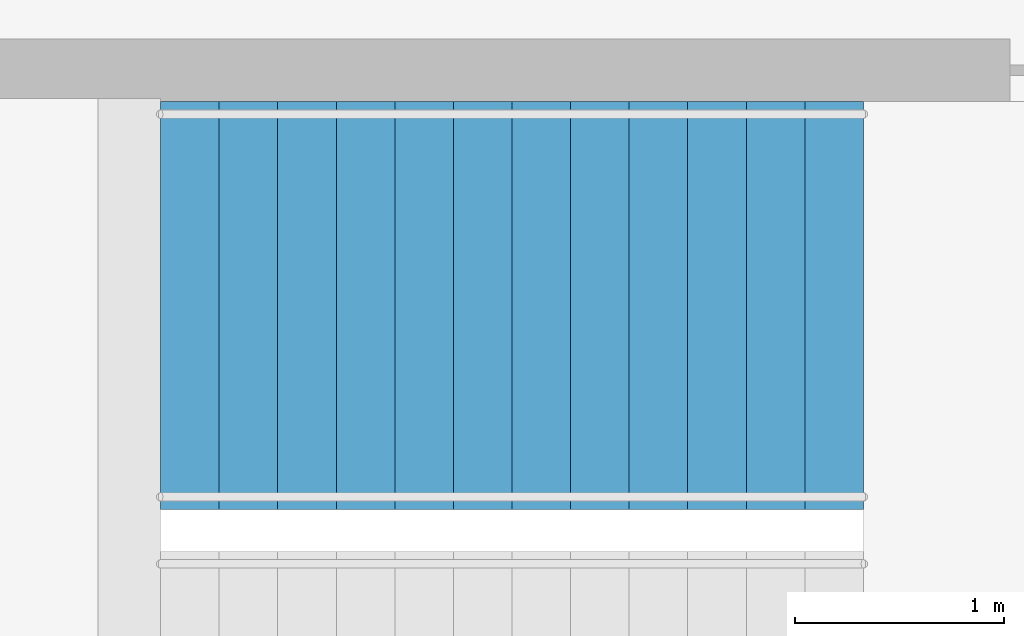
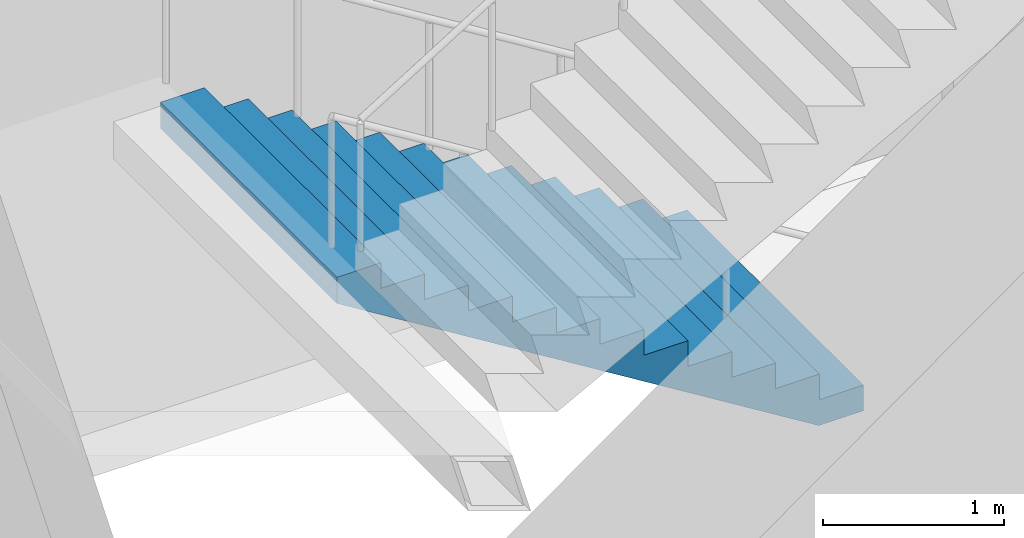
# One storey, part 25 of 35: 1 stair flight, 1 element without a shape of its own.
"""IFC4 building model written with IfcOpenShell, lengths in metres."""

from ifc_helpers import new_model, si_unit, direction, frame, origin, place, context, subcontext, project, spatial, triangles, material, type_object, element, aggregate, save


model = new_model("IFC4")

# Units and contexts
model_context = context("Model", 3, precision=1e-05, world=origin(), true_north=direction((0.0, 1.0)))
body_context = subcontext(model_context, "Body", "Model", "MODEL_VIEW")
ifc_project = project(units=[si_unit("LENGTHUNIT", "METRE"), si_unit("AREAUNIT", "SQUARE_METRE"), si_unit("VOLUMEUNIT", "CUBIC_METRE"), si_unit("PLANEANGLEUNIT", "RADIAN"), si_unit("MASSUNIT", "GRAM", prefix="KILO")], contexts=[model_context])

# Site, building, storey
site_placement = place(None, origin())
site = spatial("IfcSite", under=ifc_project, at=site_placement, CompositionType="ELEMENT")
building_placement = place(site_placement, origin())
building = spatial("IfcBuilding", under=site, at=building_placement, Name="Orbita Commons", CompositionType="ELEMENT")
storey_placement = place(building_placement, frame((0.0, 0.0, 208.300048828125)))
storey = spatial("IfcBuildingStorey", under=building, at=storey_placement, Name="L51", CompositionType="ELEMENT", Elevation=208.300048828125)

# Stair, stair flight
ifc_material_1 = material(Name="Precast concrete C40/50", Category="concrete")
stair_type = type_object("IfcStairType", Name="Exit stair S2 2 flights 13 risers 173", PredefinedType="HALF_TURN_STAIR", material=ifc_material_1)
stair_placement = place(storey_placement, origin())
stair = element("IfcStair", 1, at=stair_placement, inside=storey, type_object=stair_type, Name="Exit stair S2 L51", PredefinedType="HALF_TURN_STAIR")
ifc_material_2 = material(Name="Precast concrete C40/50", Category="concrete")
stair_flight_type = type_object("IfcStairFlightType", Name="Stair flight 13 risers 173 x 280", PredefinedType="STRAIGHT", material=ifc_material_2)
stair_flight_placement = place(storey_placement, frame((63.550048828125, 29.27490234375, 0.0), z_axis=(0.0, 0.0, 1.0), x_axis=(-1.0, 0.0, 0.0)))
stair_flight = element("IfcStairFlight", 2, at=stair_flight_placement, type_object=stair_flight_type, Name="S2 flight 1", NumberOfRisers=13, NumberOfTreads=12, PredefinedType="STRAIGHT", RiserHeight=0.173076923, TreadLength=0.28, context=body_context, shape_type="Tessellation", body=[
    triangles([(0.0, 0.974976, 0.0), (0.0, 0.974976, 0.021635), (0.0, 0.81248, 0.021635), (0.0, 0.81248, 0.0), (0.0, 0.649984, 0.021635), (0.0, 0.649984, 0.0), (0.0, 0.487488, 0.021635), (0.0, 0.487488, 0.0), (0.0, 0.324992, 0.021635), (0.0, 0.324992, 0.0), (0.0, 0.162496, 0.021635), (0.0, 0.162496, 0.0), (0.0, 0.0, 0.021635), (0.0, 0.0, 0.0), (0.0, -0.162496, 0.021635), (0.0, -0.162496, 0.0), (0.0, -0.324992, 0.021635), (0.0, -0.324992, 0.0), (0.0, -0.487488, 0.021635), (0.0, -0.487488, 0.0), (0.0, -0.649984, 0.021635), (0.0, -0.649984, 0.0), (0.0, -0.81248, 0.021635), (0.0, -0.81248, 0.0), (0.0, -0.974976, 0.021635), (0.0, -0.974976, 0.0), (0.0, 0.974976, 0.043269), (0.0, 0.81248, 0.043269), (0.0, 0.649984, 0.043269), (0.0, 0.487488, 0.043269), (0.0, 0.324992, 0.043269), (0.0, 0.162496, 0.043269), (0.0, 0.0, 0.043269), (0.0, -0.162496, 0.043269), (0.0, -0.324992, 0.043269), (0.0, -0.487488, 0.043269), (0.0, -0.649984, 0.043269), (0.0, -0.81248, 0.043269), (0.0, -0.974976, 0.043269), (0.0, 0.974976, 0.064904), (0.0, 0.81248, 0.064904), (0.0, 0.649984, 0.064904), (0.0, 0.487488, 0.064904), (0.0, 0.324992, 0.064904), (0.0, 0.162496, 0.064904), (0.0, 0.0, 0.064904), (0.0, -0.162496, 0.064904), (0.0, -0.324992, 0.064904), (0.0, -0.487488, 0.064904), (0.0, -0.649984, 0.064904), (0.0, -0.81248, 0.064904), (0.0, -0.974976, 0.064904), (0.0, 0.974976, 0.086538), (0.0, 0.81248, 0.086538), (0.0, 0.649984, 0.086538), (0.0, 0.487488, 0.086538), (0.0, 0.324992, 0.086538), (0.0, 0.162496, 0.086538), (0.0, 0.0, 0.086538), (0.0, -0.162496, 0.086538), (0.0, -0.324992, 0.086538), (0.0, -0.487488, 0.086538), (0.0, -0.649984, 0.086538), (0.0, -0.81248, 0.086538), (0.0, -0.974976, 0.086538), (0.0, 0.974976, 0.108173), (0.0, 0.81248, 0.108173), (0.0, 0.649984, 0.108173), (0.0, 0.487488, 0.108173), (0.0, 0.324992, 0.108173), (0.0, 0.162496, 0.108173), (0.0, 0.0, 0.108173), (0.0, -0.162496, 0.108173), (0.0, -0.324992, 0.108173), (0.0, -0.487488, 0.108173), (0.0, -0.649984, 0.108173), (0.0, -0.81248, 0.108173), (0.0, -0.974976, 0.108173), (0.0, 0.974976, 0.129808), (0.0, 0.81248, 0.129808), (0.0, 0.649984, 0.129808), (0.0, 0.487488, 0.129808), (0.0, 0.324992, 0.129808), (0.0, 0.162496, 0.129808), (0.0, 0.0, 0.129808), (0.0, -0.162496, 0.129808), (0.0, -0.324992, 0.129808), (0.0, -0.487488, 0.129808), (0.0, -0.649984, 0.129808), (0.0, -0.81248, 0.129808), (0.0, -0.974976, 0.129808), (0.0, 0.974976, 0.151442), (0.0, 0.81248, 0.151442), (0.0, 0.649984, 0.151442), (0.0, 0.487488, 0.151442), (0.0, 0.324992, 0.151442), (0.0, 0.162496, 0.151442), (0.0, 0.0, 0.151442), (0.0, -0.162496, 0.151442), (0.0, -0.324992, 0.151442), (0.0, -0.487488, 0.151442), (0.0, -0.649984, 0.151442), (0.0, -0.81248, 0.151442), (0.0, -0.974976, 0.151442), (0.0, 0.974976, 0.173077), (0.0, 0.81248, 0.173077), (0.0, 0.649984, 0.173077), (0.0, 0.487488, 0.173077), (0.0, 0.324992, 0.173077), (0.0, 0.162496, 0.173077), (0.0, 0.0, 0.173077), (0.0, -0.162496, 0.173077), (0.0, -0.324992, 0.173077), (0.0, -0.487488, 0.173077), (0.0, -0.649984, 0.173077), (0.0, -0.81248, 0.173077), (0.0, -0.974976, 0.173077), (0.28, 0.974976, 0.173077), (0.28, 0.81248, 0.173077), (0.28, 0.649984, 0.173077), (0.28, 0.487488, 0.173077), (0.28, 0.324992, 0.173077), (0.28, 0.162496, 0.173077), (0.28, 0.0, 0.173077), (0.28, -0.162496, 0.173077), (0.28, -0.324992, 0.173077), (0.28, -0.487488, 0.173077), (0.28, -0.649984, 0.173077), (0.28, -0.81248, 0.173077), (0.28, -0.974976, 0.173077), (0.28, 0.974976, 0.346154), (0.28, 0.81248, 0.346154), (0.28, 0.649984, 0.346154), (0.28, 0.487488, 0.346154), (0.28, 0.324992, 0.346154), (0.28, 0.162496, 0.346154), (0.28, 0.0, 0.346154), (0.28, -0.162496, 0.346154), (0.28, -0.324992, 0.346154), (0.28, -0.487488, 0.346154), (0.28, -0.649984, 0.346154), (0.28, -0.81248, 0.346154), (0.28, -0.974976, 0.346154), (0.56, 0.974976, 0.346154), (0.56, 0.81248, 0.346154), (0.56, 0.649984, 0.346154), (0.56, 0.487488, 0.346154), (0.56, 0.324992, 0.346154), (0.56, 0.162496, 0.346154), (0.56, 0.0, 0.346154), (0.56, -0.162496, 0.346154), (0.56, -0.324992, 0.346154), (0.56, -0.487488, 0.346154), (0.56, -0.649984, 0.346154), (0.56, -0.81248, 0.346154), (0.56, -0.974976, 0.346154), (0.56, 0.974976, 0.519231), (0.56, 0.81248, 0.519231), (0.56, 0.649984, 0.519231), (0.56, 0.487488, 0.519231), (0.56, 0.324992, 0.519231), (0.56, 0.162496, 0.519231), (0.56, 0.0, 0.519231), (0.56, -0.162496, 0.519231), (0.56, -0.324992, 0.519231), (0.56, -0.487488, 0.519231), (0.56, -0.649984, 0.519231), (0.56, -0.81248, 0.519231), (0.56, -0.974976, 0.519231), (0.84, 0.974976, 0.519231), (0.84, 0.81248, 0.519231), (0.84, 0.649984, 0.519231), (0.84, 0.487488, 0.519231), (0.84, 0.324992, 0.519231), (0.84, 0.162496, 0.519231), (0.84, 0.0, 0.519231), (0.84, -0.162496, 0.519231), (0.84, -0.324992, 0.519231), (0.84, -0.487488, 0.519231), (0.84, -0.649984, 0.519231), (0.84, -0.81248, 0.519231), (0.84, -0.974976, 0.519231), (0.84, 0.974976, 0.692308), (0.84, 0.81248, 0.692308), (0.84, 0.649984, 0.692308), (0.84, 0.487488, 0.692308), (0.84, 0.324992, 0.692308), (0.84, 0.162496, 0.692308), (0.84, 0.0, 0.692308), (0.84, -0.162496, 0.692308), (0.84, -0.324992, 0.692308), (0.84, -0.487488, 0.692308), (0.84, -0.649984, 0.692308), (0.84, -0.81248, 0.692308), (0.84, -0.974976, 0.692308), (1.12, 0.974976, 0.692308), (1.12, 0.81248, 0.692308), (1.12, 0.649984, 0.692308), (1.12, 0.487488, 0.692308), (1.12, 0.324992, 0.692308), (1.12, 0.162496, 0.692308), (1.12, 0.0, 0.692308), (1.12, -0.162496, 0.692308), (1.12, -0.324992, 0.692308), (1.12, -0.487488, 0.692308), (1.12, -0.649984, 0.692308), (1.12, -0.81248, 0.692308), (1.12, -0.974976, 0.692308), (1.12, 0.974976, 0.865385), (1.12, 0.81248, 0.865385), (1.12, 0.649984, 0.865385), (1.12, 0.487488, 0.865385), (1.12, 0.324992, 0.865385), (1.12, 0.162496, 0.865385), (1.12, 0.0, 0.865385), (1.12, -0.162496, 0.865385), (1.12, -0.324992, 0.865385), (1.12, -0.487488, 0.865385), (1.12, -0.649984, 0.865385), (1.12, -0.81248, 0.865385), (1.12, -0.974976, 0.865385), (1.4, 0.974976, 0.865385), (1.4, 0.81248, 0.865385), (1.4, 0.649984, 0.865385), (1.4, 0.487488, 0.865385), (1.4, 0.324992, 0.865385), (1.4, 0.162496, 0.865385), (1.4, 0.0, 0.865385), (1.4, -0.162496, 0.865385), (1.4, -0.324992, 0.865385), (1.4, -0.487488, 0.865385), (1.4, -0.649984, 0.865385), (1.4, -0.81248, 0.865385), (1.4, -0.974976, 0.865385), (1.4, 0.974976, 1.038462), (1.4, 0.81248, 1.038462), (1.4, 0.649984, 1.038462), (1.4, 0.487488, 1.038462), (1.4, 0.324992, 1.038462), (1.4, 0.162496, 1.038462), (1.4, 0.0, 1.038462), (1.4, -0.162496, 1.038462), (1.4, -0.324992, 1.038462), (1.4, -0.487488, 1.038462), (1.4, -0.649984, 1.038462), (1.4, -0.81248, 1.038462), (1.4, -0.974976, 1.038462), (1.68, 0.974976, 1.038462), (1.68, 0.81248, 1.038462), (1.68, 0.649984, 1.038462), (1.68, 0.487488, 1.038462), (1.68, 0.324992, 1.038462), (1.68, 0.162496, 1.038462), (1.68, 0.0, 1.038462), (1.68, -0.162496, 1.038462), (1.68, -0.324992, 1.038462), (1.68, -0.487488, 1.038462), (1.68, -0.649984, 1.038462), (1.68, -0.81248, 1.038462), (1.68, -0.974976, 1.038462), (1.68, 0.974976, 1.211538), (1.68, 0.81248, 1.211538), (1.68, 0.649984, 1.211538), (1.68, 0.487488, 1.211538), (1.68, 0.324992, 1.211538), (1.68, 0.162496, 1.211538), (1.68, 0.0, 1.211538), (1.68, -0.162496, 1.211538), (1.68, -0.324992, 1.211538), (1.68, -0.487488, 1.211538), (1.68, -0.649984, 1.211538), (1.68, -0.81248, 1.211538), (1.68, -0.974976, 1.211538), (1.96, 0.974976, 1.211538), (1.96, 0.81248, 1.211538), (1.96, 0.649984, 1.211538), (1.96, 0.487488, 1.211538), (1.96, 0.324992, 1.211538), (1.96, 0.162496, 1.211538), (1.96, 0.0, 1.211538), (1.96, -0.162496, 1.211538), (1.96, -0.324992, 1.211538), (1.96, -0.487488, 1.211538), (1.96, -0.649984, 1.211538), (1.96, -0.81248, 1.211538), (1.96, -0.974976, 1.211538), (1.96, 0.974976, 1.384615), (1.96, 0.81248, 1.384615), (1.96, 0.649984, 1.384615), (1.96, 0.487488, 1.384615), (1.96, 0.324992, 1.384615), (1.96, 0.162496, 1.384615), (1.96, 0.0, 1.384615), (1.96, -0.162496, 1.384615), (1.96, -0.324992, 1.384615), (1.96, -0.487488, 1.384615), (1.96, -0.649984, 1.384615), (1.96, -0.81248, 1.384615), (1.96, -0.974976, 1.384615), (2.24, 0.974976, 1.384615), (2.24, 0.81248, 1.384615), (2.24, 0.649984, 1.384615), (2.24, 0.487488, 1.384615), (2.24, 0.324992, 1.384615), (2.24, 0.162496, 1.384615), (2.24, 0.0, 1.384615), (2.24, -0.162496, 1.384615), (2.24, -0.324992, 1.384615), (2.24, -0.487488, 1.384615), (2.24, -0.649984, 1.384615), (2.24, -0.81248, 1.384615), (2.24, -0.974976, 1.384615), (2.24, 0.974976, 1.557692), (2.24, 0.81248, 1.557692), (2.24, 0.649984, 1.557692), (2.24, 0.487488, 1.557692), (2.24, 0.324992, 1.557692), (2.24, 0.162496, 1.557692), (2.24, 0.0, 1.557692), (2.24, -0.162496, 1.557692), (2.24, -0.324992, 1.557692), (2.24, -0.487488, 1.557692), (2.24, -0.649984, 1.557692), (2.24, -0.81248, 1.557692), (2.24, -0.974976, 1.557692), (2.52, 0.974976, 1.557692), (2.52, 0.81248, 1.557692), (2.52, 0.649984, 1.557692), (2.52, 0.487488, 1.557692), (2.52, 0.324992, 1.557692), (2.52, 0.162496, 1.557692), (2.52, 0.0, 1.557692), (2.52, -0.162496, 1.557692), (2.52, -0.324992, 1.557692), (2.52, -0.487488, 1.557692), (2.52, -0.649984, 1.557692), (2.52, -0.81248, 1.557692), (2.52, -0.974976, 1.557692), (2.52, 0.974976, 1.730769), (2.52, 0.81248, 1.730769), (2.52, 0.649984, 1.730769), (2.52, 0.487488, 1.730769), (2.52, 0.324992, 1.730769), (2.52, 0.162496, 1.730769), (2.52, 0.0, 1.730769), (2.52, -0.162496, 1.730769), (2.52, -0.324992, 1.730769), (2.52, -0.487488, 1.730769), (2.52, -0.649984, 1.730769), (2.52, -0.81248, 1.730769), (2.52, -0.974976, 1.730769), (2.8, 0.974976, 1.730769), (2.8, 0.81248, 1.730769), (2.8, 0.649984, 1.730769), (2.8, 0.487488, 1.730769), (2.8, 0.324992, 1.730769), (2.8, 0.162496, 1.730769), (2.8, 0.0, 1.730769), (2.8, -0.162496, 1.730769), (2.8, -0.324992, 1.730769), (2.8, -0.487488, 1.730769), (2.8, -0.649984, 1.730769), (2.8, -0.81248, 1.730769), (2.8, -0.974976, 1.730769), (2.8, 0.974976, 1.903846), (2.8, 0.81248, 1.903846), (2.8, 0.649984, 1.903846), (2.8, 0.487488, 1.903846), (2.8, 0.324992, 1.903846), (2.8, 0.162496, 1.903846), (2.8, 0.0, 1.903846), (2.8, -0.162496, 1.903846), (2.8, -0.324992, 1.903846), (2.8, -0.487488, 1.903846), (2.8, -0.649984, 1.903846), (2.8, -0.81248, 1.903846), (2.8, -0.974976, 1.903846), (3.08, 0.974976, 1.903846), (3.08, 0.81248, 1.903846), (3.08, 0.649984, 1.903846), (3.08, 0.487488, 1.903846), (3.08, 0.324992, 1.903846), (3.08, 0.162496, 1.903846), (3.08, 0.0, 1.903846), (3.08, -0.162496, 1.903846), (3.08, -0.324992, 1.903846), (3.08, -0.487488, 1.903846), (3.08, -0.649984, 1.903846), (3.08, -0.81248, 1.903846), (3.08, -0.974976, 1.903846), (3.08, 0.974976, 2.076923), (3.08, 0.81248, 2.076923), (3.08, 0.649984, 2.076923), (3.08, 0.487488, 2.076923), (3.08, 0.324992, 2.076923), (3.08, 0.162496, 2.076923), (3.08, 0.0, 2.076923), (3.08, -0.162496, 2.076923), (3.08, -0.324992, 2.076923), (3.08, -0.487488, 2.076923), (3.08, -0.649984, 2.076923), (3.08, -0.81248, 2.076923), (3.08, -0.974976, 2.076923), (3.36, 0.974976, 2.076923), (3.36, 0.81248, 2.076923), (3.36, 0.649984, 2.076923), (3.36, 0.487488, 2.076923), (3.36, 0.324992, 2.076923), (3.36, 0.162496, 2.076923), (3.36, 0.0, 2.076923), (3.36, -0.162496, 2.076923), (3.36, -0.324992, 2.076923), (3.36, -0.487488, 2.076923), (3.36, -0.649984, 2.076923), (3.36, -0.81248, 2.076923), (3.36, -0.974976, 2.076923), (3.36, 0.974976, 2.054895), (3.36, 0.81248, 2.054895), (3.36, 0.649984, 2.054895), (3.36, 0.487488, 2.054895), (3.36, 0.324992, 2.054895), (3.36, 0.162496, 2.054895), (3.36, 0.0, 2.054895), (3.36, -0.162496, 2.054895), (3.36, -0.324992, 2.054895), (3.36, -0.487488, 2.054895), (3.36, -0.649984, 2.054895), (3.36, -0.81248, 2.054895), (3.36, -0.974976, 2.054895), (3.36, 0.974976, 2.032866), (3.36, 0.81248, 2.032866), (3.36, 0.649984, 2.032866), (3.36, 0.487488, 2.032866), (3.36, 0.324992, 2.032866), (3.36, 0.162496, 2.032866), (3.36, 0.0, 2.032866), (3.36, -0.162496, 2.032866), (3.36, -0.324992, 2.032866), (3.36, -0.487488, 2.032866), (3.36, -0.649984, 2.032866), (3.36, -0.81248, 2.032866), (3.36, -0.974976, 2.032866), (3.36, 0.974976, 2.010837), (3.36, 0.81248, 2.010837), (3.36, 0.649984, 2.010837), (3.36, 0.487488, 2.010837), (3.36, 0.324992, 2.010837), (3.36, 0.162496, 2.010837), (3.36, 0.0, 2.010837), (3.36, -0.162496, 2.010837), (3.36, -0.324992, 2.010837), (3.36, -0.487488, 2.010837), (3.36, -0.649984, 2.010837), (3.36, -0.81248, 2.010837), (3.36, -0.974976, 2.010837), (3.36, 0.974976, 1.988809), (3.36, 0.81248, 1.988809), (3.36, 0.649984, 1.988809), (3.36, 0.487488, 1.988809), (3.36, 0.324992, 1.988809), (3.36, 0.162496, 1.988809), (3.36, 0.0, 1.988809), (3.36, -0.162496, 1.988809), (3.36, -0.324992, 1.988809), (3.36, -0.487488, 1.988809), (3.36, -0.649984, 1.988809), (3.36, -0.81248, 1.988809), (3.36, -0.974976, 1.988809), (3.36, 0.974976, 1.96678), (3.36, 0.81248, 1.96678), (3.36, 0.649984, 1.96678), (3.36, 0.487488, 1.96678), (3.36, 0.324992, 1.96678), (3.36, 0.162496, 1.96678), (3.36, 0.0, 1.96678), (3.36, -0.162496, 1.96678), (3.36, -0.324992, 1.96678), (3.36, -0.487488, 1.96678), (3.36, -0.649984, 1.96678), (3.36, -0.81248, 1.96678), (3.36, -0.974976, 1.96678), (3.36, 0.974976, 1.944752), (3.36, 0.81248, 1.944752), (3.36, 0.649984, 1.944752), (3.36, 0.487488, 1.944752), (3.36, 0.324992, 1.944752), (3.36, 0.162496, 1.944752), (3.36, 0.0, 1.944752), (3.36, -0.162496, 1.944752), (3.36, -0.324992, 1.944752), (3.36, -0.487488, 1.944752), (3.36, -0.649984, 1.944752), (3.36, -0.81248, 1.944752), (3.36, -0.974976, 1.944752), (3.36, 0.974976, 1.922723), (3.36, 0.81248, 1.922723), (3.36, 0.649984, 1.922723), (3.36, 0.487488, 1.922723), (3.36, 0.324992, 1.922723), (3.36, 0.162496, 1.922723), (3.36, 0.0, 1.922723), (3.36, -0.162496, 1.922723), (3.36, -0.324992, 1.922723), (3.36, -0.487488, 1.922723), (3.36, -0.649984, 1.922723), (3.36, -0.81248, 1.922723), (3.36, -0.974976, 1.922723), (3.36, 0.974976, 1.900695), (3.36, 0.81248, 1.900695), (3.36, 0.649984, 1.900695), (3.36, 0.487488, 1.900695), (3.36, 0.324992, 1.900695), (3.36, 0.162496, 1.900695), (3.36, 0.0, 1.900695), (3.36, -0.162496, 1.900695), (3.36, -0.324992, 1.900695), (3.36, -0.487488, 1.900695), (3.36, -0.649984, 1.900695), (3.36, -0.81248, 1.900695), (3.36, -0.974976, 1.900695), (0.285099, 0.974976, 0.0), (0.285099, 0.81248, 0.0), (0.285099, 0.649984, 0.0), (0.285099, 0.487488, 0.0), (0.285099, 0.324992, 0.0), (0.285099, 0.162496, 0.0), (0.285099, 0.0, 0.0), (0.285099, -0.162496, 0.0), (0.285099, -0.324992, 0.0), (0.285099, -0.487488, 0.0), (0.285099, -0.649984, 0.0), (0.285099, -0.81248, 0.0), (0.285099, -0.974976, 0.0)], [[3, 2, 1], [4, 3, 1], [5, 3, 4], [6, 5, 4], [7, 5, 6], [8, 7, 6], [9, 7, 8], [10, 9, 8], [11, 9, 10], [12, 11, 10], [13, 11, 12], [14, 13, 12], [15, 13, 14], [16, 15, 14], [17, 15, 16], [18, 17, 16], [19, 17, 18], [20, 19, 18], [21, 19, 20], [22, 21, 20], [23, 21, 22], [24, 23, 22], [25, 23, 24], [26, 25, 24], [28, 27, 2], [3, 28, 2], [29, 28, 3], [5, 29, 3], [30, 29, 5], [7, 30, 5], [31, 30, 7], [9, 31, 7], [32, 31, 9], [11, 32, 9], [33, 32, 11], [13, 33, 11], [34, 33, 13], [15, 34, 13], [35, 34, 15], [17, 35, 15], [36, 35, 17], [19, 36, 17], [37, 36, 19], [21, 37, 19], [38, 37, 21], [23, 38, 21], [39, 38, 23], [25, 39, 23], [41, 40, 27], [28, 41, 27], [42, 41, 28], [29, 42, 28], [43, 42, 29], [30, 43, 29], [44, 43, 30], [31, 44, 30], [45, 44, 31], [32, 45, 31], [46, 45, 32], [33, 46, 32], [47, 46, 33], [34, 47, 33], [48, 47, 34], [35, 48, 34], [49, 48, 35], [36, 49, 35], [50, 49, 36], [37, 50, 36], [51, 50, 37], [38, 51, 37], [52, 51, 38], [39, 52, 38], [54, 53, 40], [41, 54, 40], [55, 54, 41], [42, 55, 41], [56, 55, 42], [43, 56, 42], [57, 56, 43], [44, 57, 43], [58, 57, 44], [45, 58, 44], [59, 58, 45], [46, 59, 45], [60, 59, 46], [47, 60, 46], [61, 60, 47], [48, 61, 47], [62, 61, 48], [49, 62, 48], [63, 62, 49], [50, 63, 49], [64, 63, 50], [51, 64, 50], [65, 64, 51], [52, 65, 51], [67, 66, 53], [54, 67, 53], [68, 67, 54], [55, 68, 54], [69, 68, 55], [56, 69, 55], [70, 69, 56], [57, 70, 56], [71, 70, 57], [58, 71, 57], [72, 71, 58], [59, 72, 58], [73, 72, 59], [60, 73, 59], [74, 73, 60], [61, 74, 60], [75, 74, 61], [62, 75, 61], [76, 75, 62], [63, 76, 62], [77, 76, 63], [64, 77, 63], [78, 77, 64], [65, 78, 64], [80, 79, 66], [67, 80, 66], [81, 80, 67], [68, 81, 67], [82, 81, 68], [69, 82, 68], [83, 82, 69], [70, 83, 69], [84, 83, 70], [71, 84, 70], [85, 84, 71], [72, 85, 71], [86, 85, 72], [73, 86, 72], [87, 86, 73], [74, 87, 73], [88, 87, 74], [75, 88, 74], [89, 88, 75], [76, 89, 75], [90, 89, 76], [77, 90, 76], [91, 90, 77], [78, 91, 77], [93, 92, 79], [80, 93, 79], [94, 93, 80], [81, 94, 80], [95, 94, 81], [82, 95, 81], [96, 95, 82], [83, 96, 82], [97, 96, 83], [84, 97, 83], [98, 97, 84], [85, 98, 84], [99, 98, 85], [86, 99, 85], [100, 99, 86], [87, 100, 86], [101, 100, 87], [88, 101, 87], [102, 101, 88], [89, 102, 88], [103, 102, 89], [90, 103, 89], [104, 103, 90], [91, 104, 90], [106, 105, 92], [93, 106, 92], [107, 106, 93], [94, 107, 93], [108, 107, 94], [95, 108, 94], [109, 108, 95], [96, 109, 95], [110, 109, 96], [97, 110, 96], [111, 110, 97], [98, 111, 97], [112, 111, 98], [99, 112, 98], [113, 112, 99], [100, 113, 99], [114, 113, 100], [101, 114, 100], [115, 114, 101], [102, 115, 101], [116, 115, 102], [103, 116, 102], [117, 116, 103], [104, 117, 103], [119, 118, 105], [106, 119, 105], [120, 119, 106], [107, 120, 106], [121, 120, 107], [108, 121, 107], [122, 121, 108], [109, 122, 108], [123, 122, 109], [110, 123, 109], [124, 123, 110], [111, 124, 110], [125, 124, 111], [112, 125, 111], [126, 125, 112], [113, 126, 112], [127, 126, 113], [114, 127, 113], [128, 127, 114], [115, 128, 114], [129, 128, 115], [116, 129, 115], [130, 129, 116], [117, 130, 116], [132, 131, 118], [119, 132, 118], [133, 132, 119], [120, 133, 119], [134, 133, 120], [121, 134, 120], [135, 134, 121], [122, 135, 121], [136, 135, 122], [123, 136, 122], [137, 136, 123], [124, 137, 123], [138, 137, 124], [125, 138, 124], [139, 138, 125], [126, 139, 125], [140, 139, 126], [127, 140, 126], [141, 140, 127], [128, 141, 127], [142, 141, 128], [129, 142, 128], [143, 142, 129], [130, 143, 129], [145, 144, 131], [132, 145, 131], [146, 145, 132], [133, 146, 132], [147, 146, 133], [134, 147, 133], [148, 147, 134], [135, 148, 134], [149, 148, 135], [136, 149, 135], [150, 149, 136], [137, 150, 136], [151, 150, 137], [138, 151, 137], [152, 151, 138], [139, 152, 138], [153, 152, 139], [140, 153, 139], [154, 153, 140], [141, 154, 140], [155, 154, 141], [142, 155, 141], [156, 155, 142], [143, 156, 142], [158, 157, 144], [145, 158, 144], [159, 158, 145], [146, 159, 145], [160, 159, 146], [147, 160, 146], [161, 160, 147], [148, 161, 147], [162, 161, 148], [149, 162, 148], [163, 162, 149], [150, 163, 149], [164, 163, 150], [151, 164, 150], [165, 164, 151], [152, 165, 151], [166, 165, 152], [153, 166, 152], [167, 166, 153], [154, 167, 153], [168, 167, 154], [155, 168, 154], [169, 168, 155], [156, 169, 155], [171, 170, 157], [158, 171, 157], [172, 171, 158], [159, 172, 158], [173, 172, 159], [160, 173, 159], [174, 173, 160], [161, 174, 160], [175, 174, 161], [162, 175, 161], [176, 175, 162], [163, 176, 162], [177, 176, 163], [164, 177, 163], [178, 177, 164], [165, 178, 164], [179, 178, 165], [166, 179, 165], [180, 179, 166], [167, 180, 166], [181, 180, 167], [168, 181, 167], [182, 181, 168], [169, 182, 168], [184, 183, 170], [171, 184, 170], [185, 184, 171], [172, 185, 171], [186, 185, 172], [173, 186, 172], [187, 186, 173], [174, 187, 173], [188, 187, 174], [175, 188, 174], [189, 188, 175], [176, 189, 175], [190, 189, 176], [177, 190, 176], [191, 190, 177], [178, 191, 177], [192, 191, 178], [179, 192, 178], [193, 192, 179], [180, 193, 179], [194, 193, 180], [181, 194, 180], [195, 194, 181], [182, 195, 181], [197, 196, 183], [184, 197, 183], [198, 197, 184], [185, 198, 184], [199, 198, 185], [186, 199, 185], [200, 199, 186], [187, 200, 186], [201, 200, 187], [188, 201, 187], [202, 201, 188], [189, 202, 188], [203, 202, 189], [190, 203, 189], [204, 203, 190], [191, 204, 190], [205, 204, 191], [192, 205, 191], [206, 205, 192], [193, 206, 192], [207, 206, 193], [194, 207, 193], [208, 207, 194], [195, 208, 194], [210, 209, 196], [197, 210, 196], [211, 210, 197], [198, 211, 197], [212, 211, 198], [199, 212, 198], [213, 212, 199], [200, 213, 199], [214, 213, 200], [201, 214, 200], [215, 214, 201], [202, 215, 201], [216, 215, 202], [203, 216, 202], [217, 216, 203], [204, 217, 203], [218, 217, 204], [205, 218, 204], [219, 218, 205], [206, 219, 205], [220, 219, 206], [207, 220, 206], [221, 220, 207], [208, 221, 207], [223, 222, 209], [210, 223, 209], [224, 223, 210], [211, 224, 210], [225, 224, 211], [212, 225, 211], [226, 225, 212], [213, 226, 212], [227, 226, 213], [214, 227, 213], [228, 227, 214], [215, 228, 214], [229, 228, 215], [216, 229, 215], [230, 229, 216], [217, 230, 216], [231, 230, 217], [218, 231, 217], [232, 231, 218], [219, 232, 218], [233, 232, 219], [220, 233, 219], [234, 233, 220], [221, 234, 220], [236, 235, 222], [223, 236, 222], [237, 236, 223], [224, 237, 223], [238, 237, 224], [225, 238, 224], [239, 238, 225], [226, 239, 225], [240, 239, 226], [227, 240, 226], [241, 240, 227], [228, 241, 227], [242, 241, 228], [229, 242, 228], [243, 242, 229], [230, 243, 229], [244, 243, 230], [231, 244, 230], [245, 244, 231], [232, 245, 231], [246, 245, 232], [233, 246, 232], [247, 246, 233], [234, 247, 233], [249, 248, 235], [236, 249, 235], [250, 249, 236], [237, 250, 236], [251, 250, 237], [238, 251, 237], [252, 251, 238], [239, 252, 238], [253, 252, 239], [240, 253, 239], [254, 253, 240], [241, 254, 240], [255, 254, 241], [242, 255, 241], [256, 255, 242], [243, 256, 242], [257, 256, 243], [244, 257, 243], [258, 257, 244], [245, 258, 244], [259, 258, 245], [246, 259, 245], [260, 259, 246], [247, 260, 246], [262, 261, 248], [249, 262, 248], [263, 262, 249], [250, 263, 249], [264, 263, 250], [251, 264, 250], [265, 264, 251], [252, 265, 251], [266, 265, 252], [253, 266, 252], [267, 266, 253], [254, 267, 253], [268, 267, 254], [255, 268, 254], [269, 268, 255], [256, 269, 255], [270, 269, 256], [257, 270, 256], [271, 270, 257], [258, 271, 257], [272, 271, 258], [259, 272, 258], [273, 272, 259], [260, 273, 259], [275, 274, 261], [262, 275, 261], [276, 275, 262], [263, 276, 262], [277, 276, 263], [264, 277, 263], [278, 277, 264], [265, 278, 264], [279, 278, 265], [266, 279, 265], [280, 279, 266], [267, 280, 266], [281, 280, 267], [268, 281, 267], [282, 281, 268], [269, 282, 268], [283, 282, 269], [270, 283, 269], [284, 283, 270], [271, 284, 270], [285, 284, 271], [272, 285, 271], [286, 285, 272], [273, 286, 272], [288, 287, 274], [275, 288, 274], [289, 288, 275], [276, 289, 275], [290, 289, 276], [277, 290, 276], [291, 290, 277], [278, 291, 277], [292, 291, 278], [279, 292, 278], [293, 292, 279], [280, 293, 279], [294, 293, 280], [281, 294, 280], [295, 294, 281], [282, 295, 281], [296, 295, 282], [283, 296, 282], [297, 296, 283], [284, 297, 283], [298, 297, 284], [285, 298, 284], [299, 298, 285], [286, 299, 285], [301, 300, 287], [288, 301, 287], [302, 301, 288], [289, 302, 288], [303, 302, 289], [290, 303, 289], [304, 303, 290], [291, 304, 290], [305, 304, 291], [292, 305, 291], [306, 305, 292], [293, 306, 292], [307, 306, 293], [294, 307, 293], [308, 307, 294], [295, 308, 294], [309, 308, 295], [296, 309, 295], [310, 309, 296], [297, 310, 296], [311, 310, 297], [298, 311, 297], [312, 311, 298], [299, 312, 298], [314, 313, 300], [301, 314, 300], [315, 314, 301], [302, 315, 301], [316, 315, 302], [303, 316, 302], [317, 316, 303], [304, 317, 303], [318, 317, 304], [305, 318, 304], [319, 318, 305], [306, 319, 305], [320, 319, 306], [307, 320, 306], [321, 320, 307], [308, 321, 307], [322, 321, 308], [309, 322, 308], [323, 322, 309], [310, 323, 309], [324, 323, 310], [311, 324, 310], [325, 324, 311], [312, 325, 311], [327, 326, 313], [314, 327, 313], [328, 327, 314], [315, 328, 314], [329, 328, 315], [316, 329, 315], [330, 329, 316], [317, 330, 316], [331, 330, 317], [318, 331, 317], [332, 331, 318], [319, 332, 318], [333, 332, 319], [320, 333, 319], [334, 333, 320], [321, 334, 320], [335, 334, 321], [322, 335, 321], [336, 335, 322], [323, 336, 322], [337, 336, 323], [324, 337, 323], [338, 337, 324], [325, 338, 324], [340, 339, 326], [327, 340, 326], [341, 340, 327], [328, 341, 327], [342, 341, 328], [329, 342, 328], [343, 342, 329], [330, 343, 329], [344, 343, 330], [331, 344, 330], [345, 344, 331], [332, 345, 331], [346, 345, 332], [333, 346, 332], [347, 346, 333], [334, 347, 333], [348, 347, 334], [335, 348, 334], [349, 348, 335], [336, 349, 335], [350, 349, 336], [337, 350, 336], [351, 350, 337], [338, 351, 337], [353, 352, 339], [340, 353, 339], [354, 353, 340], [341, 354, 340], [355, 354, 341], [342, 355, 341], [356, 355, 342], [343, 356, 342], [357, 356, 343], [344, 357, 343], [358, 357, 344], [345, 358, 344], [359, 358, 345], [346, 359, 345], [360, 359, 346], [347, 360, 346], [361, 360, 347], [348, 361, 347], [362, 361, 348], [349, 362, 348], [363, 362, 349], [350, 363, 349], [364, 363, 350], [351, 364, 350], [366, 365, 352], [353, 366, 352], [367, 366, 353], [354, 367, 353], [368, 367, 354], [355, 368, 354], [369, 368, 355], [356, 369, 355], [370, 369, 356], [357, 370, 356], [371, 370, 357], [358, 371, 357], [372, 371, 358], [359, 372, 358], [373, 372, 359], [360, 373, 359], [374, 373, 360], [361, 374, 360], [375, 374, 361], [362, 375, 361], [376, 375, 362], [363, 376, 362], [377, 376, 363], [364, 377, 363], [379, 378, 365], [366, 379, 365], [380, 379, 366], [367, 380, 366], [381, 380, 367], [368, 381, 367], [382, 381, 368], [369, 382, 368], [383, 382, 369], [370, 383, 369], [384, 383, 370], [371, 384, 370], [385, 384, 371], [372, 385, 371], [386, 385, 372], [373, 386, 372], [387, 386, 373], [374, 387, 373], [388, 387, 374], [375, 388, 374], [389, 388, 375], [376, 389, 375], [390, 389, 376], [377, 390, 376], [392, 391, 378], [379, 392, 378], [393, 392, 379], [380, 393, 379], [394, 393, 380], [381, 394, 380], [395, 394, 381], [382, 395, 381], [396, 395, 382], [383, 396, 382], [397, 396, 383], [384, 397, 383], [398, 397, 384], [385, 398, 384], [399, 398, 385], [386, 399, 385], [400, 399, 386], [387, 400, 386], [401, 400, 387], [388, 401, 387], [402, 401, 388], [389, 402, 388], [403, 402, 389], [390, 403, 389], [405, 404, 391], [392, 405, 391], [406, 405, 392], [393, 406, 392], [407, 406, 393], [394, 407, 393], [408, 407, 394], [395, 408, 394], [409, 408, 395], [396, 409, 395], [410, 409, 396], [397, 410, 396], [411, 410, 397], [398, 411, 397], [412, 411, 398], [399, 412, 398], [413, 412, 399], [400, 413, 399], [414, 413, 400], [401, 414, 400], [415, 414, 401], [402, 415, 401], [416, 415, 402], [403, 416, 402], [418, 417, 404], [405, 418, 404], [419, 418, 405], [406, 419, 405], [420, 419, 406], [407, 420, 406], [421, 420, 407], [408, 421, 407], [422, 421, 408], [409, 422, 408], [423, 422, 409], [410, 423, 409], [424, 423, 410], [411, 424, 410], [425, 424, 411], [412, 425, 411], [426, 425, 412], [413, 426, 412], [427, 426, 413], [414, 427, 413], [428, 427, 414], [415, 428, 414], [429, 428, 415], [416, 429, 415], [431, 430, 417], [418, 431, 417], [432, 431, 418], [419, 432, 418], [433, 432, 419], [420, 433, 419], [434, 433, 420], [421, 434, 420], [435, 434, 421], [422, 435, 421], [436, 435, 422], [423, 436, 422], [437, 436, 423], [424, 437, 423], [438, 437, 424], [425, 438, 424], [439, 438, 425], [426, 439, 425], [440, 439, 426], [427, 440, 426], [441, 440, 427], [428, 441, 427], [442, 441, 428], [429, 442, 428], [444, 443, 430], [431, 444, 430], [445, 444, 431], [432, 445, 431], [446, 445, 432], [433, 446, 432], [447, 446, 433], [434, 447, 433], [448, 447, 434], [435, 448, 434], [449, 448, 435], [436, 449, 435], [450, 449, 436], [437, 450, 436], [451, 450, 437], [438, 451, 437], [452, 451, 438], [439, 452, 438], [453, 452, 439], [440, 453, 439], [454, 453, 440], [441, 454, 440], [455, 454, 441], [442, 455, 441], [457, 456, 443], [444, 457, 443], [458, 457, 444], [445, 458, 444], [459, 458, 445], [446, 459, 445], [460, 459, 446], [447, 460, 446], [461, 460, 447], [448, 461, 447], [462, 461, 448], [449, 462, 448], [463, 462, 449], [450, 463, 449], [464, 463, 450], [451, 464, 450], [465, 464, 451], [452, 465, 451], [466, 465, 452], [453, 466, 452], [467, 466, 453], [454, 467, 453], [468, 467, 454], [455, 468, 454], [470, 469, 456], [457, 470, 456], [471, 470, 457], [458, 471, 457], [472, 471, 458], [459, 472, 458], [473, 472, 459], [460, 473, 459], [474, 473, 460], [461, 474, 460], [475, 474, 461], [462, 475, 461], [476, 475, 462], [463, 476, 462], [477, 476, 463], [464, 477, 463], [478, 477, 464], [465, 478, 464], [479, 478, 465], [466, 479, 465], [480, 479, 466], [467, 480, 466], [481, 480, 467], [468, 481, 467], [483, 482, 469], [470, 483, 469], [484, 483, 470], [471, 484, 470], [485, 484, 471], [472, 485, 471], [486, 485, 472], [473, 486, 472], [487, 486, 473], [474, 487, 473], [488, 487, 474], [475, 488, 474], [489, 488, 475], [476, 489, 475], [490, 489, 476], [477, 490, 476], [491, 490, 477], [478, 491, 477], [492, 491, 478], [479, 492, 478], [493, 492, 479], [480, 493, 479], [494, 493, 480], [481, 494, 480], [496, 495, 482], [483, 496, 482], [497, 496, 483], [484, 497, 483], [498, 497, 484], [485, 498, 484], [499, 498, 485], [486, 499, 485], [500, 499, 486], [487, 500, 486], [501, 500, 487], [488, 501, 487], [502, 501, 488], [489, 502, 488], [503, 502, 489], [490, 503, 489], [504, 503, 490], [491, 504, 490], [505, 504, 491], [492, 505, 491], [506, 505, 492], [493, 506, 492], [507, 506, 493], [494, 507, 493], [509, 508, 495], [496, 509, 495], [510, 509, 496], [497, 510, 496], [511, 510, 497], [498, 511, 497], [512, 511, 498], [499, 512, 498], [513, 512, 499], [500, 513, 499], [514, 513, 500], [501, 514, 500], [515, 514, 501], [502, 515, 501], [516, 515, 502], [503, 516, 502], [517, 516, 503], [504, 517, 503], [518, 517, 504], [505, 518, 504], [519, 518, 505], [506, 519, 505], [520, 519, 506], [507, 520, 506], [522, 521, 508], [509, 522, 508], [523, 522, 509], [510, 523, 509], [524, 523, 510], [511, 524, 510], [525, 524, 511], [512, 525, 511], [526, 525, 512], [513, 526, 512], [527, 526, 513], [514, 527, 513], [528, 527, 514], [515, 528, 514], [529, 528, 515], [516, 529, 515], [530, 529, 516], [517, 530, 516], [531, 530, 517], [518, 531, 517], [532, 531, 518], [519, 532, 518], [533, 532, 519], [520, 533, 519], [4, 1, 521], [522, 4, 521], [6, 4, 522], [523, 6, 522], [8, 6, 523], [524, 8, 523], [10, 8, 524], [525, 10, 524], [12, 10, 525], [526, 12, 525], [14, 12, 526], [527, 14, 526], [16, 14, 527], [528, 16, 527], [18, 16, 528], [529, 18, 528], [20, 18, 529], [530, 20, 529], [22, 20, 530], [531, 22, 530], [24, 22, 531], [532, 24, 531], [26, 24, 532], [533, 26, 532], [508, 521, 1], [26, 533, 520], [495, 508, 1], [26, 520, 507], [482, 495, 1], [26, 507, 494], [469, 482, 1], [26, 494, 481], [456, 469, 1], [26, 481, 468], [443, 456, 1], [26, 468, 455], [430, 443, 1], [26, 455, 442], [417, 430, 1], [26, 442, 429], [391, 404, 417], [429, 416, 403], [378, 391, 417], [429, 403, 390], [352, 365, 378], [390, 377, 364], [352, 378, 417], [429, 390, 364], [326, 339, 352], [364, 351, 338], [326, 352, 417], [429, 364, 338], [300, 313, 326], [338, 325, 312], [300, 326, 417], [429, 338, 312], [274, 287, 300], [312, 299, 286], [274, 300, 417], [429, 312, 286], [248, 261, 274], [286, 273, 260], [248, 274, 417], [429, 286, 260], [222, 235, 248], [260, 247, 234], [222, 248, 417], [429, 260, 234], [196, 209, 222], [234, 221, 208], [196, 222, 417], [429, 234, 208], [170, 183, 196], [208, 195, 182], [170, 196, 417], [429, 208, 182], [144, 157, 170], [182, 169, 156], [144, 170, 417], [429, 182, 156], [118, 131, 144], [156, 143, 130], [118, 144, 417], [429, 156, 130], [118, 417, 1], [26, 429, 130], [92, 105, 118], [130, 117, 104], [79, 92, 118], [130, 104, 91], [66, 79, 118], [130, 91, 78], [53, 66, 118], [130, 78, 65], [40, 53, 118], [130, 65, 52], [27, 40, 118], [130, 52, 39], [2, 27, 118], [130, 39, 25], [1, 2, 118], [130, 25, 26]], closed=True),
])
aggregate(stair, [stair_flight])

save(model, "model.ifc")
